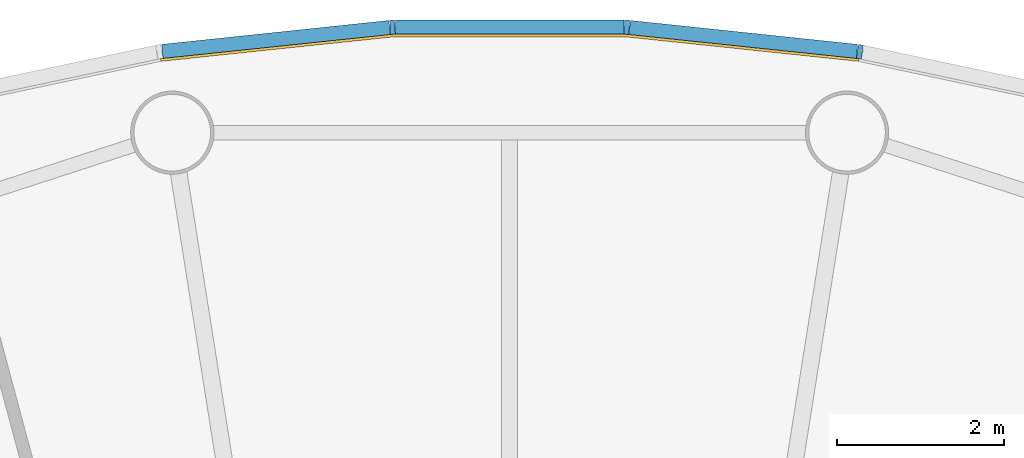
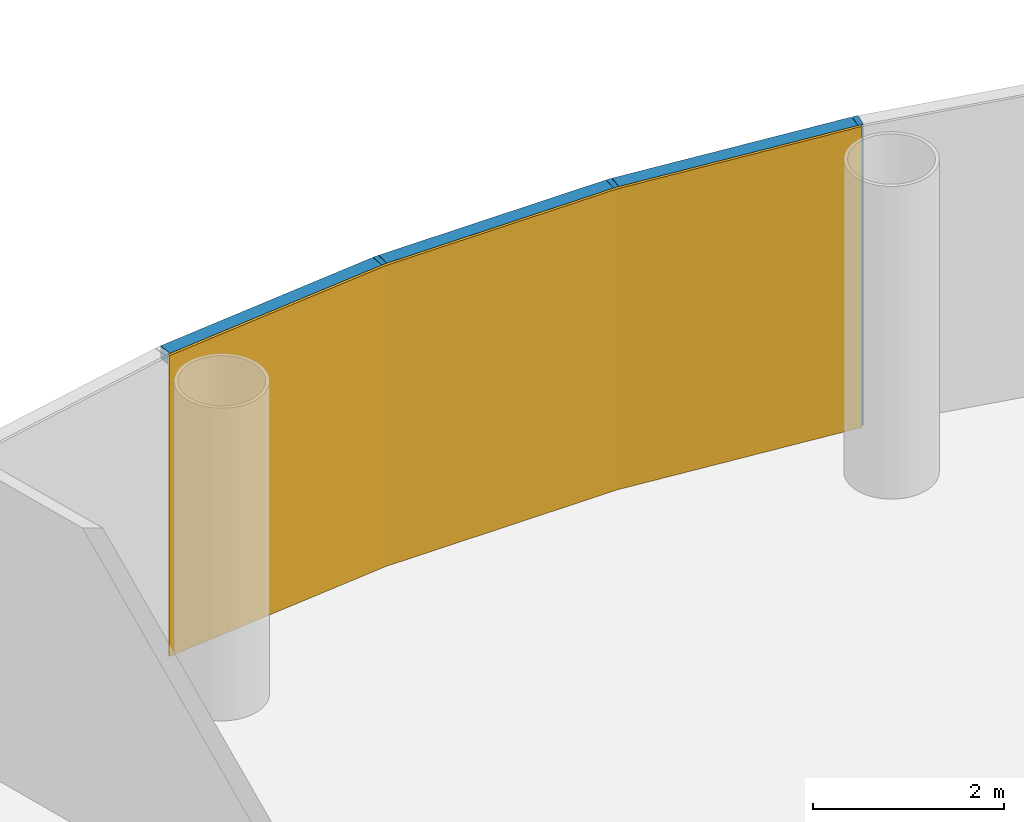
# One storey, part 10 of 12: 6 members, 1 curtain wall.
"""IFC4 building model written with IfcOpenShell, lengths in metres."""

from ifc_helpers import new_model, si_unit, direction, frame, origin, origin_2d, place, context, subcontext, project, spatial, polyline, rectangle, outline, extrude, material, layer, layer_set, material_profile, profile_set, type_object, element, aggregate, save


model = new_model("IFC4")

# Units and contexts
model_context = context("Model", 3, precision=1e-05, world=origin(), true_north=direction((0.0, 1.0)))
body_context = subcontext(model_context, "Body", "Model", "MODEL_VIEW")
ifc_project = project(units=[si_unit("LENGTHUNIT", "METRE"), si_unit("AREAUNIT", "SQUARE_METRE"), si_unit("VOLUMEUNIT", "CUBIC_METRE"), si_unit("PLANEANGLEUNIT", "RADIAN"), si_unit("MASSUNIT", "GRAM", prefix="KILO")], contexts=[model_context])

# Member
ifc_material_1 = material(Name="Anodised aluminium", Category="aluminium")
ifc_material_profile_1 = material_profile(ifc_material_1, rectangle(XDim=0.06005859375, YDim=0.169921875, at=origin_2d()), Name="Mullion 60 x 170 mm anodised aluminium")
ifc_profile_set_1 = profile_set([ifc_material_profile_1], Name="Anodised aluminium")
member_type_1 = type_object("IfcMemberType", Name="Mullion 60 x 170 mm anodised aluminium", PredefinedType="MULLION", material=ifc_profile_set_1)
site_placement = place(None, origin())
building_placement = place(site_placement, origin())
storey_placement = place(building_placement, frame((0.0, 0.0, 222.0)))
member_1_placement = place(storey_placement, frame((94.205810546875, 106.553955078125, 0.0), z_axis=(0.0, 0.0, 1.0), x_axis=(-0.987688340595, 0.15643446504, 0.0)))
member_1 = element("IfcMember", 1, at=member_1_placement, type_object=member_type_1, Name="MULLION L51-12", PredefinedType="MULLION", context=body_context, shape_type="SweptSolid", body=[
    extrude(rectangle(XDim=0.06005859375, YDim=0.169921875, at=origin_2d()), origin(), (0.0, 0.0, 1.0), 3.85009765625),
])

member_2_placement = place(storey_placement, frame((91.406982421875, 106.84814453125, 0.0), z_axis=(0.0, 0.0, 1.0), x_axis=(-0.998629534755, 0.052335956243, 0.0)))
member_2 = element("IfcMember", 2, at=member_2_placement, type_object=member_type_1, Name="MULLION L51-13", PredefinedType="MULLION", context=body_context, shape_type="SweptSolid", body=[
    extrude(rectangle(XDim=0.06005859375, YDim=0.169921875, at=origin_2d()), origin(), (0.0, 0.0, 1.0), 3.85009765625),
])

member_3_placement = place(storey_placement, frame((88.593017578125, 106.84814453125, 0.0), z_axis=(0.0, 0.0, 1.0), x_axis=(-0.998629534755, -0.052335956243, 0.0)))
member_3 = element("IfcMember", 3, at=member_3_placement, type_object=member_type_1, Name="MULLION L51-14", PredefinedType="MULLION", context=body_context, shape_type="SweptSolid", body=[
    extrude(rectangle(XDim=0.06005859375, YDim=0.169921875, at=origin_2d()), origin(), (0.0, 0.0, 1.0), 3.85009765625),
])

ifc_material_2 = material(Name="Anodised aluminium", Category="aluminium")
ifc_material_profile_2 = material_profile(ifc_material_2, rectangle(XDim=0.169921875, YDim=0.1650390625, at=origin_2d()), Name="Transom 165 x 170 mm anodised aluminium")
ifc_profile_set_2 = profile_set([ifc_material_profile_2], Name="Anodised aluminium")
member_type_2 = type_object("IfcMemberType", Name="Transom 165 x 170 mm anodised aluminium", PredefinedType="USERDEFINED", material=ifc_profile_set_2)
member_4_placement = place(storey_placement, frame((94.17138671875, 106.5576171875, 3.767578125), z_axis=(-0.994515195344, 0.104592190102, 0.0), x_axis=(-0.104592190102, -0.994515195344, 0.0)))
member_4 = element("IfcMember", 4, at=member_4_placement, type_object=member_type_2, Name="TRANSOM L51-12", ObjectType="TRANSOM", PredefinedType="USERDEFINED", context=body_context, shape_type="SweptSolid", body=[
    extrude(rectangle(XDim=0.169921875, YDim=0.1650390625, at=origin_2d()), origin(), (0.0, 0.0, 1.0), 2.7451171875),
])

member_5_placement = place(storey_placement, frame((91.37255859375, 106.848388671875, 3.767578125), z_axis=(-1.0, 0.0, 0.0), x_axis=(0.0, -1.0, 0.0)))
member_5 = element("IfcMember", 5, at=member_5_placement, type_object=member_type_2, Name="TRANSOM L51-13", ObjectType="TRANSOM", PredefinedType="USERDEFINED", context=body_context, shape_type="SweptSolid", body=[
    extrude(rectangle(XDim=0.169921875, YDim=0.1650390625, at=origin_2d()), origin(), (0.0, 0.0, 1.0), 2.7451171875),
])

member_6_placement = place(storey_placement, frame((88.55859375, 106.8447265625, 3.767578125), z_axis=(-0.994515195344, -0.104592190102, 0.0), x_axis=(0.104592190102, -0.994515195344, 0.0)))
member_6 = element("IfcMember", 6, at=member_6_placement, type_object=member_type_2, Name="TRANSOM L51-14", ObjectType="TRANSOM", PredefinedType="USERDEFINED", context=body_context, shape_type="SweptSolid", body=[
    extrude(rectangle(XDim=0.169921875, YDim=0.1650390625, at=origin_2d()), origin(), (0.0, 0.0, 1.0), 2.7451171875),
])

# Site, building, storey
site = spatial("IfcSite", under=ifc_project, at=site_placement, CompositionType="ELEMENT")
building = spatial("IfcBuilding", under=site, at=building_placement, Name="Entoto Ring Tower", CompositionType="ELEMENT")
storey = spatial("IfcBuildingStorey", under=building, at=storey_placement, Name="L51", CompositionType="ELEMENT", Elevation=222.0)

# Curtain wall
ifc_material_3 = material(Name="Clear low-iron glass", Category="glass")
ifc_layer = layer(ifc_material_3, 0.031982421875)
ifc_layer_set = layer_set([ifc_layer], Name="Clear low-iron glass")
curtain_wall_type = type_object("IfcCurtainWallType", Name="Curtain wall system CW4 glazing 32 mm", PredefinedType="NOTDEFINED", material=ifc_layer_set)
curtain_wall_placement = place(storey_placement, origin())
curtain_wall = element("IfcCurtainWall", 7, at=curtain_wall_placement, inside=storey, type_object=curtain_wall_type, Name="CW4 L51-05", PredefinedType="NOTDEFINED", context=body_context, shape_type="SweptSolid", body=[
    extrude(outline(polyline([(94.1923828125, 106.469970703125), (91.402587890625, 106.76318359375), (88.597412109375, 106.76318359375), (85.8076171875, 106.469970703125), (85.8125, 106.4384765625), (88.59912109375, 106.731201171875), (91.40087890625, 106.731201171875), (94.1875, 106.4384765625), (94.1923828125, 106.469970703125)])), origin(), (0.0, 0.0, 1.0), 3.85009765625),
])

aggregate(curtain_wall, [member_1, member_2, member_3, member_4, member_5, member_6])

save(model, "model.ifc")
